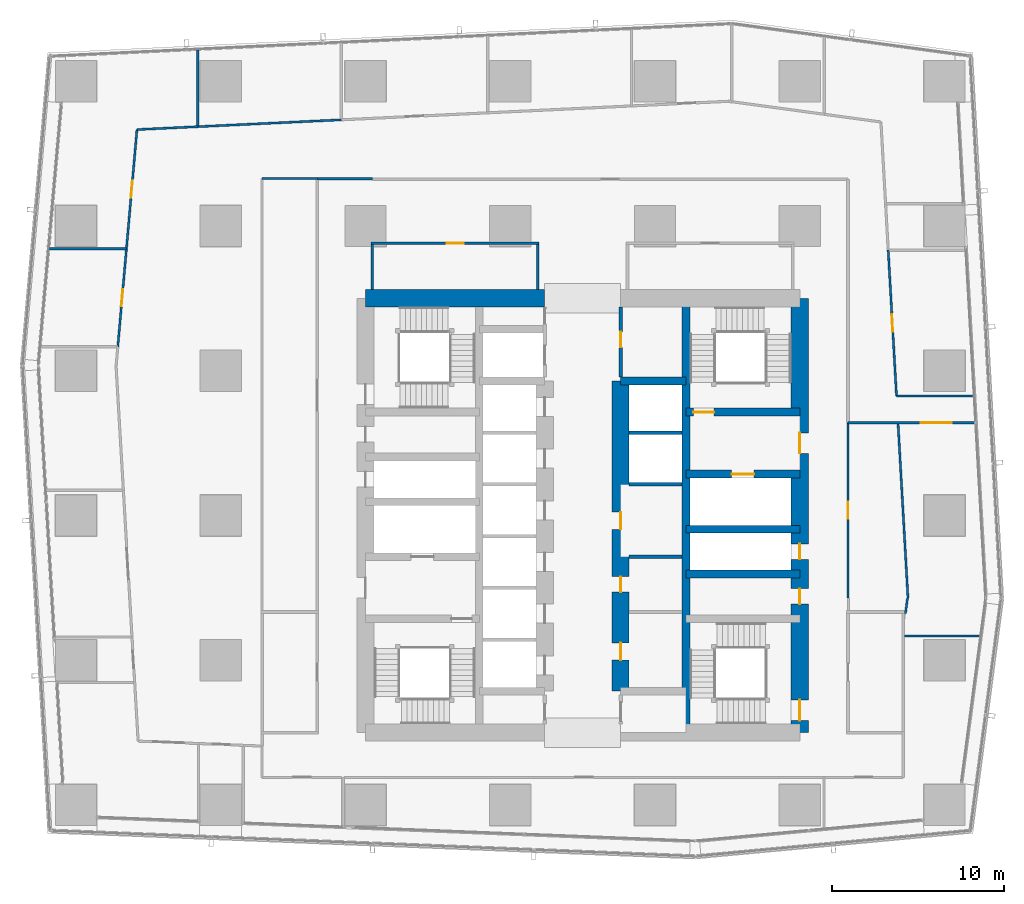
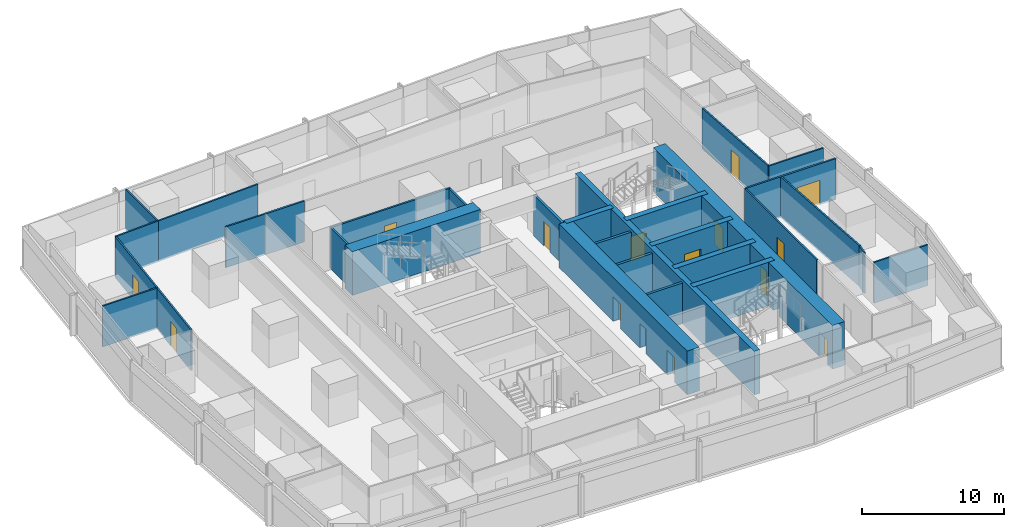
# One storey, part 26 of 37: 31 walls, 16 doors, 16 openings.
"""IFC4 building model written with IfcOpenShell, lengths in metres."""

from ifc_helpers import new_model, si_unit, direction, frame, frame_2d, origin, place, context, subcontext, project, spatial, rectangle, extrude, material, layer, layer_set, type_object, element, fill, save


model = new_model("IFC4")

# Units and contexts
model_context = context("Model", 3, precision=1e-05, world=origin(), true_north=direction((0.0, 1.0)))
body_context = subcontext(model_context, "Body", "Model", "MODEL_VIEW")
ifc_project = project(units=[si_unit("LENGTHUNIT", "METRE"), si_unit("AREAUNIT", "SQUARE_METRE"), si_unit("VOLUMEUNIT", "CUBIC_METRE"), si_unit("PLANEANGLEUNIT", "RADIAN"), si_unit("MASSUNIT", "GRAM", prefix="KILO")], contexts=[model_context])

# Site, building, storey
site_placement = place(None, origin())
site = spatial("IfcSite", under=ifc_project, at=site_placement, CompositionType="ELEMENT")
building_placement = place(site_placement, origin())
building = spatial("IfcBuilding", under=site, at=building_placement, Name="Rekha Terrace Tower", CompositionType="ELEMENT")
storey_placement = place(building_placement, frame((0.0, 0.0, 228.949951171875)))
storey = spatial("IfcBuildingStorey", under=building, at=storey_placement, Name="L58", CompositionType="ELEMENT", Elevation=228.949951171875)

# Walls
ifc_material_1 = material(Name="Concrete M60", Category="concrete")
ifc_layer_1 = layer(ifc_material_1, 0.449951171875)
ifc_layer_set_1 = layer_set([ifc_layer_1], Name="Concrete M60")
wall_type_1 = type_object("IfcWallType", Name="CI3 450 core internal shear wall", PredefinedType="SHEAR", material=ifc_layer_set_1)
wall_1_placement = place(storey_placement, frame((43.800048828125, 21.0, 0.0), z_axis=(0.0, 0.0, 1.0), x_axis=(0.0, 1.0, 0.0)))
element("IfcWall", 1, at=wall_1_placement, inside=storey, type_object=wall_type_1, Name="Core wall X438 L58", PredefinedType="SHEAR", context=body_context, shape_type="SweptSolid", body=[
    extrude(rectangle(XDim=25.199951171875, YDim=0.449951171875, at=frame_2d((12.60009765625, 0.0))), origin(), (0.0, 0.0, 1.0), 3.75),
])
wall_2_placement = place(storey_placement, frame((40.0, 41.39990234375, 0.0), z_axis=(0.0, 0.0, 1.0), x_axis=(1.0, 0.0, 0.0)))
element("IfcWall", 2, at=wall_2_placement, inside=storey, type_object=wall_type_1, Name="Core wall Y414E L58", PredefinedType="SHEAR", context=body_context, shape_type="SweptSolid", body=[
    extrude(rectangle(XDim=3.800048828125, YDim=0.449951171875, at=frame_2d((1.89990234375, 0.0))), origin(), (0.0, 0.0, 1.0), 3.75),
])
for number, where, z_axis, x_axis, name in (
    (3, (43.800048828125, 30.199951171875, 0.0), (0.0, 0.0, 1.0), (1.0, 0.0, 0.0), "Core wall Y302E L58"),
    (4, (43.800048828125, 32.800048828125, 0.0), (0.0, 0.0, 1.0), (1.0, 0.0, 0.0), "Core wall Y328E L58"),
):
    element("IfcWall", number, at=place(storey_placement, frame(where, z_axis=z_axis, x_axis=x_axis)), inside=storey, type_object=wall_type_1, Name=name, PredefinedType="SHEAR", context=body_context, shape_type="SweptSolid", body=[
        extrude(rectangle(XDim=6.599853515625, YDim=0.449951171875, at=frame_2d((3.2998046875, 0.0))), origin(), (0.0, 0.0, 1.0), 3.75),
    ])

# Wall, opening, door
wall_3_placement = place(storey_placement, frame((43.800048828125, 36.0, 0.0), z_axis=(0.0, 0.0, 1.0), x_axis=(1.0, 0.0, 0.0)))
wall_3 = element("IfcWall", 5, at=wall_3_placement, inside=storey, type_object=wall_type_1, Name="Core wall Y360E L58", PredefinedType="SHEAR", context=body_context, shape_type="SweptSolid", body=[
    extrude(rectangle(XDim=6.599853515625, YDim=0.449951171875, at=frame_2d((3.2998046875, 0.0))), origin(), (0.0, 0.0, 1.0), 3.75),
])
opening_1_placement = place(wall_3_placement, frame((2.64990234375, 0.0, 0.0)))
opening_1 = element("IfcOpeningElement", 6, at=opening_1_placement, cuts=wall_3, Name="Opening LD2", PredefinedType="OPENING", context=body_context, shape_type="SweptSolid", body=[
    extrude(rectangle(XDim=1.300048828125, YDim=2.10009765625, at=frame_2d((0.64990234375, 1.050048828125))), frame((0.0, 0.23486328125, 0.0), z_axis=(0.0, -1.0, 0.0), x_axis=(1.0, 0.0, 0.0)), (0.0, 0.0, 1.0), 0.469970703125),
])
ifc_material_2 = material(Name="Stainless steel sliding landing door", Category="steel")
door_type_1 = type_object("IfcDoorType", Name="LD2 1300x2100 fire lift landing door", OperationType="SLIDING_TO_LEFT", PredefinedType="USERDEFINED", material=ifc_material_2)
door_1_placement = place(opening_1_placement, origin())
door_1 = element("IfcDoor", 7, at=door_1_placement, inside=storey, type_object=door_type_1, Name="Lift FL2 landing door L58", ObjectType="LIFT LANDING DOOR", OperationType="SLIDING_TO_LEFT", OverallHeight=2.10009765625, OverallWidth=1.300048828125, PredefinedType="USERDEFINED", context=body_context, shape_type="SweptSolid", body=[
    extrude(rectangle(XDim=1.300048828125, YDim=2.10009765625, at=frame_2d((0.64990234375, 1.050048828125))), frame((0.0, 0.02490234375, 0.0), z_axis=(0.0, -1.0, 0.0), x_axis=(1.0, 0.0, 0.0)), (0.0, 0.0, 1.0), 0.050048828125),
])
fill(opening_1, door_1)

wall_4_placement = place(storey_placement, frame((43.800048828125, 39.60009765625, 0.0), z_axis=(0.0, 0.0, 1.0), x_axis=(1.0, 0.0, 0.0)))
wall_4 = element("IfcWall", 8, at=wall_4_placement, inside=storey, type_object=wall_type_1, Name="Core wall Y396E L58", PredefinedType="SHEAR", context=body_context, shape_type="SweptSolid", body=[
    extrude(rectangle(XDim=6.599853515625, YDim=0.449951171875, at=frame_2d((3.2998046875, 0.0))), origin(), (0.0, 0.0, 1.0), 3.75),
])
opening_2_placement = place(wall_4_placement, frame((0.425048828125, 0.0, 0.0)))
opening_2 = element("IfcOpeningElement", 9, at=opening_2_placement, cuts=wall_4, Name="Opening D1", PredefinedType="OPENING", context=body_context, shape_type="SweptSolid", body=[
    extrude(rectangle(XDim=1.199951171875, YDim=2.10009765625, at=frame_2d((0.60009765625, 1.050048828125))), frame((0.0, 0.23486328125, 0.0), z_axis=(0.0, -1.0, 0.0), x_axis=(1.0, 0.0, 0.0)), (0.0, 0.0, 1.0), 0.469970703125),
])
ifc_material_3 = material(Name="Steel fire door", Category="steel")
door_type_2 = type_object("IfcDoorType", Name="D1 1200x2100 stair fire door", OperationType="SINGLE_SWING_RIGHT", PredefinedType="DOOR", material=ifc_material_3)
door_2_placement = place(opening_2_placement, origin())
door_2 = element("IfcDoor", 10, at=door_2_placement, inside=storey, type_object=door_type_2, Name="Stair ST2 door L58", OperationType="SINGLE_SWING_RIGHT", OverallHeight=2.10009765625, OverallWidth=1.199951171875, PredefinedType="DOOR", context=body_context, shape_type="SweptSolid", body=[
    extrude(rectangle(XDim=1.199951171875, YDim=2.10009765625, at=frame_2d((0.60009765625, 1.050048828125))), frame((0.0, 0.02490234375, 0.0), z_axis=(0.0, -1.0, 0.0), x_axis=(1.0, 0.0, 0.0)), (0.0, 0.0, 1.0), 0.050048828125),
])
fill(opening_2, door_2)

# Wall, openings, doors
ifc_layer_2 = layer(ifc_material_1, 1.0)
ifc_layer_set_2 = layer_set([ifc_layer_2], Name="Concrete M60")
wall_type_2 = type_object("IfcWallType", Name="LW3 1000 core lobby wall at an outrigger level", PredefinedType="SHEAR", material=ifc_layer_set_2)
wall_5_placement = place(storey_placement, frame((40.0, 23.39990234375, 0.0), z_axis=(0.0, 0.0, 1.0), x_axis=(0.0, 1.0, 0.0)))
wall_5 = element("IfcWall", 11, at=wall_5_placement, inside=storey, type_object=wall_type_2, Name="Core wall X400 L58", PredefinedType="SHEAR", context=body_context, shape_type="SweptSolid", body=[
    extrude(rectangle(XDim=18.0, YDim=1.0, at=frame_2d((9.0, 0.0))), origin(), (0.0, 0.0, 1.0), 3.75),
])
opening_3_placement = place(wall_5_placement, frame((1.800048828125, 0.0, 0.0)))
opening_3 = element("IfcOpeningElement", 12, at=opening_3_placement, cuts=wall_5, Name="Opening D3", PredefinedType="OPENING", context=body_context, shape_type="SweptSolid", body=[
    extrude(rectangle(XDim=1.0, YDim=2.10009765625, at=frame_2d((0.5, 1.050048828125))), frame((0.0, 0.510009765625, 0.0), z_axis=(0.0, -1.0, 0.0), x_axis=(1.0, 0.0, 0.0)), (0.0, 0.0, 1.0), 1.02001953125),
])
opening_4_placement = place(wall_5_placement, frame((5.75, 0.0, 0.0)))
opening_4 = element("IfcOpeningElement", 13, at=opening_4_placement, cuts=wall_5, Name="Opening D5", PredefinedType="OPENING", context=body_context, shape_type="SweptSolid", body=[
    extrude(rectangle(XDim=0.89990234375, YDim=2.10009765625, at=frame_2d((0.449951171875, 1.050048828125))), frame((0.0, 0.510009765625, 0.0), z_axis=(0.0, -1.0, 0.0), x_axis=(1.0, 0.0, 0.0)), (0.0, 0.0, 1.0), 1.02001953125),
])
opening_5_placement = place(wall_5_placement, frame((9.39990234375, 0.0, 0.0)))
opening_5 = element("IfcOpeningElement", 14, at=opening_5_placement, cuts=wall_5, Name="Opening D3", PredefinedType="OPENING", context=body_context, shape_type="SweptSolid", body=[
    extrude(rectangle(XDim=1.0, YDim=2.10009765625, at=frame_2d((0.5, 1.050048828125))), frame((0.0, 0.510009765625, 0.0), z_axis=(0.0, -1.0, 0.0), x_axis=(1.0, 0.0, 0.0)), (0.0, 0.0, 1.0), 1.02001953125),
])
ifc_material_4 = material(Name="Laminated timber fire door", Category="wood")
door_type_3 = type_object("IfcDoorType", Name="D3 1000x2100 WC door", OperationType="SINGLE_SWING_LEFT", PredefinedType="DOOR", material=ifc_material_4)
door_3_placement = place(opening_3_placement, origin())
door_3 = element("IfcDoor", 15, at=door_3_placement, inside=storey, type_object=door_type_3, Name="Door staff wc L58", OperationType="SINGLE_SWING_LEFT", OverallHeight=2.10009765625, OverallWidth=1.0, PredefinedType="DOOR", context=body_context, shape_type="SweptSolid", body=[
    extrude(rectangle(XDim=1.0, YDim=2.10009765625, at=frame_2d((0.5, 1.050048828125))), frame((0.0, 0.02490234375, 0.0), z_axis=(0.0, -1.0, 0.0), x_axis=(1.0, 0.0, 0.0)), (0.0, 0.0, 1.0), 0.050048828125),
])
fill(opening_3, door_3)
door_4_placement = place(opening_5_placement, origin())
door_4 = element("IfcDoor", 16, at=door_4_placement, inside=storey, type_object=door_type_3, Name="Door staff wc L58", OperationType="SINGLE_SWING_LEFT", OverallHeight=2.10009765625, OverallWidth=1.0, PredefinedType="DOOR", context=body_context, shape_type="SweptSolid", body=[
    extrude(rectangle(XDim=1.0, YDim=2.10009765625, at=frame_2d((0.5, 1.050048828125))), frame((0.0, 0.02490234375, 0.0), z_axis=(0.0, -1.0, 0.0), x_axis=(1.0, 0.0, 0.0)), (0.0, 0.0, 1.0), 0.050048828125),
])
fill(opening_5, door_4)
door_type_4 = type_object("IfcDoorType", Name="D5 900x2100 riser access door", OperationType="SINGLE_SWING_LEFT", PredefinedType="DOOR", material=ifc_material_3)
door_5_placement = place(opening_4_placement, origin())
door_5 = element("IfcDoor", 17, at=door_5_placement, inside=storey, type_object=door_type_4, Name="Door records store L58", OperationType="SINGLE_SWING_LEFT", OverallHeight=2.10009765625, OverallWidth=0.89990234375, PredefinedType="DOOR", context=body_context, shape_type="SweptSolid", body=[
    extrude(rectangle(XDim=0.89990234375, YDim=2.10009765625, at=frame_2d((0.449951171875, 1.050048828125))), frame((0.0, 0.02490234375, 0.0), z_axis=(0.0, -1.0, 0.0), x_axis=(1.0, 0.0, 0.0)), (0.0, 0.0, 1.0), 0.050048828125),
])
fill(opening_4, door_5)

# Wall
ifc_layer_3 = layer(ifc_material_1, 1.0)
ifc_layer_set_3 = layer_set([ifc_layer_3], Name="Concrete M60")
wall_type_3 = type_object("IfcWallType", Name="SW3 1000 core outer shear wall", PredefinedType="SHEAR", material=ifc_layer_set_3)
wall_6_placement = place(storey_placement, frame((25.199951171875, 46.199951171875, 0.0), z_axis=(0.0, 0.0, 1.0), x_axis=(1.0, 0.0, 0.0)))
element("IfcWall", 18, at=wall_6_placement, inside=storey, type_object=wall_type_3, Name="Core wall N1 L58", PredefinedType="SHEAR", context=body_context, shape_type="SweptSolid", body=[
    extrude(rectangle(XDim=10.400146484375, YDim=1.0, at=frame_2d((5.2001953125, 0.0))), origin(), (0.0, 0.0, 1.0), 3.75),
])

# Wall, openings, doors
wall_7_placement = place(storey_placement, frame((50.39990234375, 21.0, 0.0), z_axis=(0.0, 0.0, 1.0), x_axis=(0.0, 1.0, 0.0)))
wall_7 = element("IfcWall", 19, at=wall_7_placement, inside=storey, type_object=wall_type_3, Name="Core wall E L58", PredefinedType="SHEAR", context=body_context, shape_type="SweptSolid", body=[
    extrude(rectangle(XDim=25.199951171875, YDim=1.0, at=frame_2d((12.60009765625, 0.0))), origin(), (0.0, 0.0, 1.0), 3.75),
])
opening_6_placement = place(wall_7_placement, frame((16.199951171875, 0.0, 0.0)))
opening_6 = element("IfcOpeningElement", 20, at=opening_6_placement, cuts=wall_7, Name="Opening D2", PredefinedType="OPENING", context=body_context, shape_type="SweptSolid", body=[
    extrude(rectangle(XDim=1.199951171875, YDim=2.10009765625, at=frame_2d((0.60009765625, 1.050048828125))), frame((0.0, 0.510009765625, 0.0), z_axis=(0.0, -1.0, 0.0), x_axis=(1.0, 0.0, 0.0)), (0.0, 0.0, 1.0), 1.02001953125),
])
opening_7_placement = place(wall_7_placement, frame((10.050048828125, 0.0, 0.0)))
opening_7 = element("IfcOpeningElement", 21, at=opening_7_placement, cuts=wall_7, Name="Opening D5", PredefinedType="OPENING", context=body_context, shape_type="SweptSolid", body=[
    extrude(rectangle(XDim=0.89990234375, YDim=2.10009765625, at=frame_2d((0.449951171875, 1.050048828125))), frame((0.0, 0.510009765625, 0.0), z_axis=(0.0, -1.0, 0.0), x_axis=(1.0, 0.0, 0.0)), (0.0, 0.0, 1.0), 1.02001953125),
])
opening_8_placement = place(wall_7_placement, frame((7.449951171875, 0.0, 0.0)))
opening_8 = element("IfcOpeningElement", 22, at=opening_8_placement, cuts=wall_7, Name="Opening D5", PredefinedType="OPENING", context=body_context, shape_type="SweptSolid", body=[
    extrude(rectangle(XDim=0.89990234375, YDim=2.10009765625, at=frame_2d((0.449951171875, 1.050048828125))), frame((0.0, 0.510009765625, 0.0), z_axis=(0.0, -1.0, 0.0), x_axis=(1.0, 0.0, 0.0)), (0.0, 0.0, 1.0), 1.02001953125),
])
opening_9_placement = place(wall_7_placement, frame((0.699951171875, 0.0, 0.0)))
opening_9 = element("IfcOpeningElement", 23, at=opening_9_placement, cuts=wall_7, Name="Opening D1", PredefinedType="OPENING", context=body_context, shape_type="SweptSolid", body=[
    extrude(rectangle(XDim=1.199951171875, YDim=2.10009765625, at=frame_2d((0.60009765625, 1.050048828125))), frame((0.0, 0.510009765625, 0.0), z_axis=(0.0, -1.0, 0.0), x_axis=(1.0, 0.0, 0.0)), (0.0, 0.0, 1.0), 1.02001953125),
])
door_6_placement = place(opening_9_placement, origin())
door_6 = element("IfcDoor", 24, at=door_6_placement, inside=storey, type_object=door_type_2, Name="Stair ST3 door L58", OperationType="SINGLE_SWING_RIGHT", OverallHeight=2.10009765625, OverallWidth=1.199951171875, PredefinedType="DOOR", context=body_context, shape_type="SweptSolid", body=[
    extrude(rectangle(XDim=1.199951171875, YDim=2.10009765625, at=frame_2d((0.60009765625, 1.050048828125))), frame((0.0, 0.02490234375, 0.0), z_axis=(0.0, -1.0, 0.0), x_axis=(1.0, 0.0, 0.0)), (0.0, 0.0, 1.0), 0.050048828125),
])
fill(opening_9, door_6)
door_type_5 = type_object("IfcDoorType", Name="D2 1200x2100 firefighting lobby door", OperationType="SINGLE_SWING_LEFT", PredefinedType="DOOR", material=ifc_material_3)
door_7_placement = place(opening_6_placement, origin())
door_7 = element("IfcDoor", 25, at=door_7_placement, inside=storey, type_object=door_type_5, Name="Door flb2 L58", OperationType="SINGLE_SWING_LEFT", OverallHeight=2.10009765625, OverallWidth=1.199951171875, PredefinedType="DOOR", context=body_context, shape_type="SweptSolid", body=[
    extrude(rectangle(XDim=1.199951171875, YDim=2.10009765625, at=frame_2d((0.60009765625, 1.050048828125))), frame((0.0, 0.02490234375, 0.0), z_axis=(0.0, -1.0, 0.0), x_axis=(1.0, 0.0, 0.0)), (0.0, 0.0, 1.0), 0.050048828125),
])
fill(opening_6, door_7)
door_8_placement = place(opening_7_placement, origin())
door_8 = element("IfcDoor", 26, at=door_8_placement, inside=storey, type_object=door_type_4, Name="Door rs2 L58", OperationType="SINGLE_SWING_LEFT", OverallHeight=2.10009765625, OverallWidth=0.89990234375, PredefinedType="DOOR", context=body_context, shape_type="SweptSolid", body=[
    extrude(rectangle(XDim=0.89990234375, YDim=2.10009765625, at=frame_2d((0.449951171875, 1.050048828125))), frame((0.0, 0.02490234375, 0.0), z_axis=(0.0, -1.0, 0.0), x_axis=(1.0, 0.0, 0.0)), (0.0, 0.0, 1.0), 0.050048828125),
])
fill(opening_7, door_8)
door_9_placement = place(opening_8_placement, origin())
door_9 = element("IfcDoor", 27, at=door_9_placement, inside=storey, type_object=door_type_4, Name="Door ele L58", OperationType="SINGLE_SWING_LEFT", OverallHeight=2.10009765625, OverallWidth=0.89990234375, PredefinedType="DOOR", context=body_context, shape_type="SweptSolid", body=[
    extrude(rectangle(XDim=0.89990234375, YDim=2.10009765625, at=frame_2d((0.449951171875, 1.050048828125))), frame((0.0, 0.02490234375, 0.0), z_axis=(0.0, -1.0, 0.0), x_axis=(1.0, 0.0, 0.0)), (0.0, 0.0, 1.0), 0.050048828125),
])
fill(opening_8, door_9)

# Wall, opening, door
ifc_material_5 = material(Name="Concrete block masonry, 1 hour", Category="masonry")
ifc_layer_4 = layer(ifc_material_5, 0.14990234375)
ifc_layer_set_4 = layer_set([ifc_layer_4], Name="Concrete block masonry, 1 hour")
wall_type_4 = type_object("IfcWallType", Name="WP2 150 tenancy partition", PredefinedType="PARTITIONING", material=ifc_layer_set_4)
wall_8_placement = place(storey_placement, frame((25.52490234375, 49.39990234375, 0.0), z_axis=(0.0, 0.0, 1.0), x_axis=(1.0, 0.0, 0.0)))
wall_8 = element("IfcWall", 28, at=wall_8_placement, inside=storey, type_object=wall_type_4, Name="Women's WC wall L58", PredefinedType="PARTITIONING", context=body_context, shape_type="SweptSolid", body=[
    extrude(rectangle(XDim=9.75, YDim=0.14990234375, at=frame_2d((4.875, 0.0))), origin(), (0.0, 0.0, 1.0), 3.5),
])
opening_10_placement = place(wall_8_placement, frame((4.375, 0.0, 0.0)))
opening_10 = element("IfcOpeningElement", 29, at=opening_10_placement, cuts=wall_8, Name="Opening D3", PredefinedType="OPENING", context=body_context, shape_type="SweptSolid", body=[
    extrude(rectangle(XDim=1.0, YDim=2.10009765625, at=frame_2d((0.5, 1.050048828125))), frame((0.0, 0.0849609375, 0.0), z_axis=(0.0, -1.0, 0.0), x_axis=(1.0, 0.0, 0.0)), (0.0, 0.0, 1.0), 0.169921875),
])
door_10_placement = place(opening_10_placement, origin())
door_10 = element("IfcDoor", 30, at=door_10_placement, inside=storey, type_object=door_type_3, Name="Door women's wc L58", OperationType="SINGLE_SWING_LEFT", OverallHeight=2.10009765625, OverallWidth=1.0, PredefinedType="DOOR", context=body_context, shape_type="SweptSolid", body=[
    extrude(rectangle(XDim=1.0, YDim=2.10009765625, at=frame_2d((0.5, 1.050048828125))), frame((0.0, 0.02490234375, 0.0), z_axis=(0.0, -1.0, 0.0), x_axis=(1.0, 0.0, 0.0)), (0.0, 0.0, 1.0), 0.050048828125),
])
fill(opening_10, door_10)

# Walls
for number, where, z_axis, x_axis, name in (
    (31, (25.60009765625, 46.699951171875, 0.0), (0.0, 0.0, 1.0), (0.0, 1.0, 0.0), "Women's WC wall L58"),
    (32, (35.199951171875, 46.699951171875, 0.0), (0.0, 0.0, 1.0), (0.0, 1.0, 0.0), "Women's WC wall L58"),
):
    element("IfcWall", number, at=place(storey_placement, frame(where, z_axis=z_axis, x_axis=x_axis)), inside=storey, type_object=wall_type_4, Name=name, PredefinedType="PARTITIONING", context=body_context, shape_type="SweptSolid", body=[
        extrude(rectangle(XDim=2.625, YDim=0.14990234375, at=frame_2d((1.3125, 0.0))), origin(), (0.0, 0.0, 1.0), 3.5),
    ])

# Wall, opening, door
wall_9_placement = place(storey_placement, frame((60.527099609375, 38.98095703125, 0.0), z_axis=(0.0, 0.0, 1.0), x_axis=(-1.0, 0.0, 0.0)))
wall_9 = element("IfcWall", 33, at=wall_9_placement, inside=storey, type_object=wall_type_4, Name="Partition L58-O1", PredefinedType="PARTITIONING", context=body_context, shape_type="SweptSolid", body=[
    extrude(rectangle(XDim=7.3271484375, YDim=0.14990234375, at=frame_2d((3.66357421875, 0.0))), origin(), (0.0, 0.0, 1.0), 3.5),
])
opening_11_placement = place(wall_9_placement, frame((1.31396484375, 0.0, 0.0)))
opening_11 = element("IfcOpeningElement", 34, at=opening_11_placement, cuts=wall_9, Name="Opening D8", PredefinedType="OPENING", context=body_context, shape_type="SweptSolid", body=[
    extrude(rectangle(XDim=1.800048828125, YDim=2.10009765625, at=frame_2d((0.89990234375, 1.050048828125))), frame((0.0, 0.0849609375, 0.0), z_axis=(0.0, -1.0, 0.0), x_axis=(1.0, 0.0, 0.0)), (0.0, 0.0, 1.0), 0.169921875),
])
ifc_material_6 = material(Name="Timber fire door", Category="wood")
door_type_6 = type_object("IfcDoorType", Name="D8 1800x2100 double leaf door", OperationType="DOUBLE_DOOR_SINGLE_SWING", PredefinedType="DOOR", material=ifc_material_6)
door_11_placement = place(opening_11_placement, origin())
door_11 = element("IfcDoor", 35, at=door_11_placement, inside=storey, type_object=door_type_6, Name="Door meeting room L58", OperationType="DOUBLE_DOOR_SINGLE_SWING", OverallHeight=2.10009765625, OverallWidth=1.800048828125, PredefinedType="DOOR", context=body_context, shape_type="SweptSolid", body=[
    extrude(rectangle(XDim=1.800048828125, YDim=2.10009765625, at=frame_2d((0.89990234375, 1.050048828125))), frame((0.0, 0.02490234375, 0.0), z_axis=(0.0, -1.0, 0.0), x_axis=(1.0, 0.0, 0.0)), (0.0, 0.0, 1.0), 0.050048828125),
])
fill(opening_11, door_11)

# Walls
wall_10_placement = place(storey_placement, frame((25.60009765625, 53.14990234375, 0.0), z_axis=(0.0, 0.0, 1.0), x_axis=(-1.0, 0.0, 0.0)))
element("IfcWall", 36, at=wall_10_placement, inside=storey, type_object=wall_type_4, Name="Partition L58-O1", PredefinedType="PARTITIONING", context=body_context, shape_type="SweptSolid", body=[
    extrude(rectangle(XDim=3.2001953125, YDim=0.14990234375, at=frame_2d((1.60009765625, 0.0))), origin(), (0.0, 0.0, 1.0), 3.5),
])
ifc_material_7 = material(Name="Two layers of fire-rated gypsum board each side on steel studs, acoustic quilt, 1 hour", Category="steel")
ifc_layer_5 = layer(ifc_material_7, 0.125)
ifc_layer_set_5 = layer_set([ifc_layer_5], Name="Two layers of fire-rated gypsum board each side on steel studs, acoustic quilt, 1 hour")
wall_type_5 = type_object("IfcWallType", Name="WP3 125 office partition", PredefinedType="PARTITIONING", material=ifc_layer_set_5)
wall_11_placement = place(storey_placement, frame((56.47509765625, 26.59912109375, 0.0), z_axis=(0.0, 0.0, 1.0), x_axis=(1.0, 0.0, 0.0)))
element("IfcWall", 37, at=wall_11_placement, inside=storey, type_object=wall_type_5, Name="Partition L58-03", PredefinedType="PARTITIONING", context=body_context, shape_type="SweptSolid", body=[
    extrude(rectangle(XDim=4.371826171875, YDim=0.125, at=frame_2d((2.18603515625, 0.0))), origin(), (0.0, 0.0, 1.0), 3.5),
])
wall_12_placement = place(storey_placement, frame((56.532958984375, 27.91796875, 0.0), z_axis=(0.0, 0.0, 1.0), x_axis=(0.130903187638, 0.991395156064, 0.0)))
element("IfcWall", 38, at=wall_12_placement, inside=storey, type_object=wall_type_5, Name="Partition L58-04", PredefinedType="PARTITIONING", context=body_context, shape_type="SweptSolid", body=[
    extrude(rectangle(XDim=0.90087890625, YDim=0.125, at=frame_2d((0.450439453125, 0.0))), origin(), (0.0, 0.0, 1.0), 3.5),
])
wall_13_placement = place(storey_placement, frame((60.43896484375, 40.531005859375, 0.0), z_axis=(0.0, 0.0, 1.0), x_axis=(-1.0, 0.0, 0.0)))
element("IfcWall", 39, at=wall_13_placement, inside=storey, type_object=wall_type_5, Name="Partition L58-05", PredefinedType="PARTITIONING", context=body_context, shape_type="SweptSolid", body=[
    extrude(rectangle(XDim=4.427001953125, YDim=0.125, at=frame_2d((2.21337890625, 0.0))), origin(), (0.0, 0.0, 1.0), 3.5),
])

# Wall, opening, door
wall_14_placement = place(storey_placement, frame((56.011962890625, 40.531005859375, 0.0), z_axis=(0.0, 0.0, 1.0), x_axis=(-0.056725059265, 0.998389837514, 0.0)))
wall_14 = element("IfcWall", 40, at=wall_14_placement, inside=storey, type_object=wall_type_5, Name="Partition L58-05", PredefinedType="PARTITIONING", context=body_context, shape_type="SweptSolid", body=[
    extrude(rectangle(XDim=8.478759765625, YDim=0.125, at=frame_2d((4.2392578125, 0.0))), origin(), (0.0, 0.0, 1.0), 3.5),
])
opening_12_placement = place(wall_14_placement, frame((3.739013671875, 0.0, 0.0)))
opening_12 = element("IfcOpeningElement", 41, at=opening_12_placement, cuts=wall_14, Name="Opening D9", PredefinedType="OPENING", context=body_context, shape_type="SweptSolid", body=[
    extrude(rectangle(XDim=1.0, YDim=2.10009765625, at=frame_2d((0.5, 1.050048828125))), frame((0.0, 0.072509765625, 0.0), z_axis=(0.0, -1.0, 0.0), x_axis=(1.0, 0.0, 0.0)), (0.0, 0.0, 1.0), 0.14501953125),
])
door_type_7 = type_object("IfcDoorType", Name="D9 1000x2100 office door", OperationType="SINGLE_SWING_LEFT", PredefinedType="DOOR", material=ifc_material_6)
door_12_placement = place(opening_12_placement, origin())
door_12 = element("IfcDoor", 42, at=door_12_placement, inside=storey, type_object=door_type_7, Name="Door office L58", OperationType="SINGLE_SWING_LEFT", OverallHeight=2.10009765625, OverallWidth=1.0, PredefinedType="DOOR", context=body_context, shape_type="SweptSolid", body=[
    extrude(rectangle(XDim=1.0, YDim=2.10009765625, at=frame_2d((0.5, 1.050048828125))), frame((0.0, 0.02490234375, 0.0), z_axis=(0.0, -1.0, 0.0), x_axis=(1.0, 0.0, 0.0)), (0.0, 0.0, 1.0), 0.050048828125),
])
fill(opening_12, door_12)

# Walls
wall_15_placement = place(storey_placement, frame((23.7919921875, 56.55908203125, 0.0), z_axis=(0.0, 0.0, 1.0), x_axis=(-0.998858041753, -0.047776693337, 0.0)))
element("IfcWall", 43, at=wall_15_placement, inside=storey, type_object=wall_type_5, Name="Partition L58-07", PredefinedType="PARTITIONING", context=body_context, shape_type="SweptSolid", body=[
    extrude(rectangle(XDim=8.33447265625, YDim=0.125, at=frame_2d((4.167236328125, 0.0))), origin(), (0.0, 0.0, 1.0), 3.5),
])
wall_16_placement = place(storey_placement, frame((15.467041015625, 56.160888671875, 0.0), z_axis=(0.0, 0.0, 1.0), x_axis=(0.0, 1.0, 0.0)))
element("IfcWall", 44, at=wall_16_placement, inside=storey, type_object=wall_type_5, Name="Partition L58-07", PredefinedType="PARTITIONING", context=body_context, shape_type="SweptSolid", body=[
    extrude(rectangle(XDim=4.4560546875, YDim=0.125, at=frame_2d((2.22802734375, 0.0))), origin(), (0.0, 0.0, 1.0), 3.5),
])
wall_17_placement = place(storey_placement, frame((11.327880859375, 49.0810546875, 0.0), z_axis=(0.0, 0.0, 1.0), x_axis=(-1.0, 0.0, 0.0)))
element("IfcWall", 45, at=wall_17_placement, inside=storey, type_object=wall_type_5, Name="Partition L58-08", PredefinedType="PARTITIONING", context=body_context, shape_type="SweptSolid", body=[
    extrude(rectangle(XDim=4.4677734375, YDim=0.125, at=frame_2d((2.23388671875, 0.0))), origin(), (0.0, 0.0, 1.0), 3.5),
])
wall_18_placement = place(storey_placement, frame((15.466064453125, 56.160888671875, 0.0), z_axis=(0.0, 0.0, 1.0), x_axis=(-0.998868606823, -0.047555297315, 0.0)))
element("IfcWall", 46, at=wall_18_placement, inside=storey, type_object=wall_type_5, Name="Partition L58-08", PredefinedType="PARTITIONING", context=body_context, shape_type="SweptSolid", body=[
    extrude(rectangle(XDim=3.531982421875, YDim=0.125, at=frame_2d((1.76611328125, 0.0))), origin(), (0.0, 0.0, 1.0), 3.5),
])

# Wall, opening, door
wall_19_placement = place(storey_placement, frame((11.93798828125, 55.992919921875, 0.0), z_axis=(0.0, 0.0, 1.0), x_axis=(-0.087927696719, -0.996126859466, 0.0)))
wall_19 = element("IfcWall", 47, at=wall_19_placement, inside=storey, type_object=wall_type_5, Name="Partition L58-08", PredefinedType="PARTITIONING", context=body_context, shape_type="SweptSolid", body=[
    extrude(rectangle(XDim=6.938720703125, YDim=0.125, at=frame_2d((3.46923828125, 0.0))), origin(), (0.0, 0.0, 1.0), 3.5),
])
opening_13_placement = place(wall_19_placement, frame((2.968994140625, 0.0, 0.0)))
opening_13 = element("IfcOpeningElement", 48, at=opening_13_placement, cuts=wall_19, Name="Opening D9", PredefinedType="OPENING", context=body_context, shape_type="SweptSolid", body=[
    extrude(rectangle(XDim=1.0, YDim=2.10009765625, at=frame_2d((0.5, 1.050048828125))), frame((0.0, 0.072509765625, 0.0), z_axis=(0.0, -1.0, 0.0), x_axis=(1.0, 0.0, 0.0)), (0.0, 0.0, 1.0), 0.14501953125),
])
door_13_placement = place(opening_13_placement, origin())
door_13 = element("IfcDoor", 49, at=door_13_placement, inside=storey, type_object=door_type_7, Name="Door director's office L58", OperationType="SINGLE_SWING_LEFT", OverallHeight=2.10009765625, OverallWidth=1.0, PredefinedType="DOOR", context=body_context, shape_type="SweptSolid", body=[
    extrude(rectangle(XDim=1.0, YDim=2.10009765625, at=frame_2d((0.5, 1.050048828125))), frame((0.0, 0.02490234375, 0.0), z_axis=(0.0, -1.0, 0.0), x_axis=(1.0, 0.0, 0.0)), (0.0, 0.0, 1.0), 0.050048828125),
])
fill(opening_13, door_13)

wall_20_placement = place(storey_placement, frame((11.327880859375, 49.080078125, 0.0), z_axis=(0.0, 0.0, 1.0), x_axis=(-0.087906288429, -0.996128748935, 0.0)))
wall_20 = element("IfcWall", 50, at=wall_20_placement, inside=storey, type_object=wall_type_5, Name="Partition L58-09", PredefinedType="PARTITIONING", context=body_context, shape_type="SweptSolid", body=[
    extrude(rectangle(XDim=5.710205078125, YDim=0.125, at=frame_2d((2.85498046875, 0.0))), origin(), (0.0, 0.0, 1.0), 3.5),
])
opening_14_placement = place(wall_20_placement, frame((2.35498046875, 0.0, 0.0)))
opening_14 = element("IfcOpeningElement", 51, at=opening_14_placement, cuts=wall_20, Name="Opening D9", PredefinedType="OPENING", context=body_context, shape_type="SweptSolid", body=[
    extrude(rectangle(XDim=1.0, YDim=2.10009765625, at=frame_2d((0.5, 1.050048828125))), frame((0.0, 0.072509765625, 0.0), z_axis=(0.0, -1.0, 0.0), x_axis=(1.0, 0.0, 0.0)), (0.0, 0.0, 1.0), 0.14501953125),
])
door_14_placement = place(opening_14_placement, origin())
door_14 = element("IfcDoor", 52, at=door_14_placement, inside=storey, type_object=door_type_7, Name="Door office L58", OperationType="SINGLE_SWING_LEFT", OverallHeight=2.10009765625, OverallWidth=1.0, PredefinedType="DOOR", context=body_context, shape_type="SweptSolid", body=[
    extrude(rectangle(XDim=1.0, YDim=2.10009765625, at=frame_2d((0.5, 1.050048828125))), frame((0.0, 0.02490234375, 0.0), z_axis=(0.0, -1.0, 0.0), x_axis=(1.0, 0.0, 0.0)), (0.0, 0.0, 1.0), 0.050048828125),
])
fill(opening_14, door_14)

# Walls
wall_21_placement = place(storey_placement, frame((19.199951171875, 53.14990234375, 0.0), z_axis=(0.0, 0.0, 1.0), x_axis=(1.0, 0.0, 0.0)))
element("IfcWall", 53, at=wall_21_placement, inside=storey, type_object=wall_type_5, Name="Partition L58-15", PredefinedType="PARTITIONING", context=body_context, shape_type="SweptSolid", body=[
    extrude(rectangle(XDim=3.199951171875, YDim=0.125, at=frame_2d((1.60009765625, 0.0))), origin(), (0.0, 0.0, 1.0), 3.5),
])
wall_22_placement = place(storey_placement, frame((56.677001953125, 28.81201171875, 0.0), z_axis=(0.0, 0.0, 1.0), x_axis=(-0.056674993877, 0.998392680797, 0.0)))
element("IfcWall", 54, at=wall_22_placement, inside=storey, type_object=wall_type_5, Name="Partition L58-16", PredefinedType="PARTITIONING", context=body_context, shape_type="SweptSolid", body=[
    extrude(rectangle(XDim=10.1103515625, YDim=0.125, at=frame_2d((5.05517578125, 0.0))), origin(), (0.0, 0.0, 1.0), 3.5),
])

# Wall, opening, door
wall_23_placement = place(storey_placement, frame((53.199951171875, 28.81201171875, 0.0), z_axis=(0.0, 0.0, 1.0), x_axis=(0.0, 1.0, 0.0)))
wall_23 = element("IfcWall", 55, at=wall_23_placement, inside=storey, type_object=wall_type_5, Name="Partition L58-17", PredefinedType="PARTITIONING", context=body_context, shape_type="SweptSolid", body=[
    extrude(rectangle(XDim=10.1689453125, YDim=0.125, at=frame_2d((5.08447265625, 0.0))), origin(), (0.0, 0.0, 1.0), 3.5),
])
opening_15_placement = place(wall_23_placement, frame((4.5849609375, 0.0, 0.0)))
opening_15 = element("IfcOpeningElement", 56, at=opening_15_placement, cuts=wall_23, Name="Opening D9", PredefinedType="OPENING", context=body_context, shape_type="SweptSolid", body=[
    extrude(rectangle(XDim=1.0, YDim=2.10009765625, at=frame_2d((0.5, 1.050048828125))), frame((0.0, 0.072509765625, 0.0), z_axis=(0.0, -1.0, 0.0), x_axis=(1.0, 0.0, 0.0)), (0.0, 0.0, 1.0), 0.14501953125),
])
door_15_placement = place(opening_15_placement, origin())
door_15 = element("IfcDoor", 57, at=door_15_placement, inside=storey, type_object=door_type_7, Name="Door breakout lounge L58", OperationType="SINGLE_SWING_LEFT", OverallHeight=2.10009765625, OverallWidth=1.0, PredefinedType="DOOR", context=body_context, shape_type="SweptSolid", body=[
    extrude(rectangle(XDim=1.0, YDim=2.10009765625, at=frame_2d((0.5, 1.050048828125))), frame((0.0, 0.02490234375, 0.0), z_axis=(0.0, -1.0, 0.0), x_axis=(1.0, 0.0, 0.0)), (0.0, 0.0, 1.0), 0.050048828125),
])
fill(opening_15, door_15)

# Walls
ifc_material_8 = material(Name="Solid concrete block masonry, 2 hour", Category="masonry")
ifc_layer_6 = layer(ifc_material_8, 0.199951171875)
ifc_layer_set_6 = layer_set([ifc_layer_6], Name="Solid concrete block masonry, 2 hour")
wall_type_6 = type_object("IfcWallType", Name="WS1 200 stair and shaft enclosure", PredefinedType="PARTITIONING", material=ifc_layer_set_6)
for number, where, z_axis, x_axis, name in (
    (58, (40.5, 35.39990234375, 0.0), (0.0, 0.0, 1.0), (1.0, 0.0, 0.0), "Lift shaft divider L58"),
    (59, (40.5, 38.39990234375, 0.0), (0.0, 0.0, 1.0), (1.0, 0.0, 0.0), "Lift shaft divider L58"),
):
    element("IfcWall", number, at=place(storey_placement, frame(where, z_axis=z_axis, x_axis=x_axis)), inside=storey, type_object=wall_type_6, Name=name, PredefinedType="PARTITIONING", context=body_context, shape_type="SweptSolid", body=[
        extrude(rectangle(XDim=3.074951171875, YDim=0.199951171875, at=frame_2d((1.53759765625, 0.0))), origin(), (0.0, 0.0, 1.0), 3.5),
    ])

# Wall, opening, door
wall_24_placement = place(storey_placement, frame((40.0, 41.625, 0.0), z_axis=(0.0, 0.0, 1.0), x_axis=(0.0, 1.0, 0.0)))
wall_24 = element("IfcWall", 60, at=wall_24_placement, inside=storey, type_object=wall_type_6, Name="Core partition elec L58", PredefinedType="PARTITIONING", context=body_context, shape_type="SweptSolid", body=[
    extrude(rectangle(XDim=4.074951171875, YDim=0.199951171875, at=frame_2d((2.03759765625, 0.0))), origin(), (0.0, 0.0, 1.0), 3.5),
])
opening_16_placement = place(wall_24_placement, frame((1.72509765625, 0.0, 0.0)))
opening_16 = element("IfcOpeningElement", 61, at=opening_16_placement, cuts=wall_24, Name="Opening D5", PredefinedType="OPENING", context=body_context, shape_type="SweptSolid", body=[
    extrude(rectangle(XDim=0.89990234375, YDim=2.10009765625, at=frame_2d((0.449951171875, 1.050048828125))), frame((0.0, 0.10986328125, 0.0), z_axis=(0.0, -1.0, 0.0), x_axis=(1.0, 0.0, 0.0)), (0.0, 0.0, 1.0), 0.219970703125),
])
door_16_placement = place(opening_16_placement, origin())
door_16 = element("IfcDoor", 62, at=door_16_placement, inside=storey, type_object=door_type_4, Name="Door electrical room L58", OperationType="SINGLE_SWING_LEFT", OverallHeight=2.10009765625, OverallWidth=0.89990234375, PredefinedType="DOOR", context=body_context, shape_type="SweptSolid", body=[
    extrude(rectangle(XDim=0.89990234375, YDim=2.10009765625, at=frame_2d((0.449951171875, 1.050048828125))), frame((0.0, 0.02490234375, 0.0), z_axis=(0.0, -1.0, 0.0), x_axis=(1.0, 0.0, 0.0)), (0.0, 0.0, 1.0), 0.050048828125),
])
fill(opening_16, door_16)

# Wall
wall_25_placement = place(storey_placement, frame((40.5, 31.199951171875, 0.0), z_axis=(0.0, 0.0, 1.0), x_axis=(1.0, 0.0, 0.0)))
element("IfcWall", 63, at=wall_25_placement, inside=storey, type_object=wall_type_6, Name="Core partition freed shafts L58", PredefinedType="PARTITIONING", context=body_context, shape_type="SweptSolid", body=[
    extrude(rectangle(XDim=3.074951171875, YDim=0.199951171875, at=frame_2d((1.53759765625, 0.0))), origin(), (0.0, 0.0, 1.0), 3.5),
])

save(model, "model.ifc")
